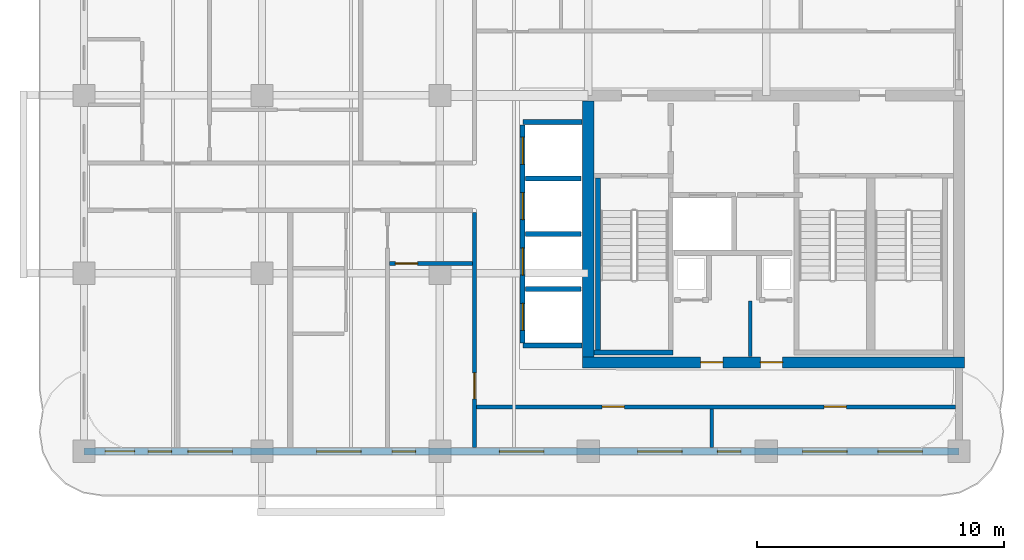
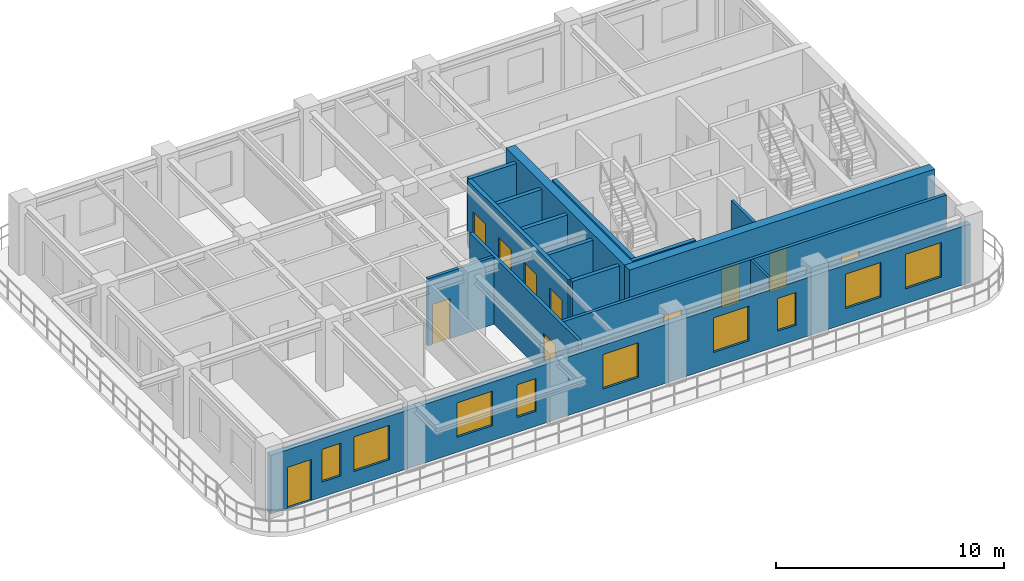
# One storey, part 3 of 8: 16 walls, 11 doors, 9 windows, 20 openings.
"""IFC4 building model written with IfcOpenShell, lengths in metres."""

from ifc_helpers import new_model, si_unit, derived_unit, direction, frame, frame_2d, origin, place, context, subcontext, project, spatial, rectangle, extrude, source, transform, mapped, material, layer, layer_set, type_object, type_shapes, element, fill, save


model = new_model("IFC4")

# Units and contexts
model_context = context("Model", 3, precision=1e-05, world=origin(), true_north=direction((0.0, 1.0)))
body_context = subcontext(model_context, "Body", "Model", "MODEL_VIEW")
ifc_project = project(units=[si_unit("LENGTHUNIT", "METRE"), si_unit("AREAUNIT", "SQUARE_METRE"), si_unit("VOLUMEUNIT", "CUBIC_METRE"), si_unit("PLANEANGLEUNIT", "RADIAN"), si_unit("MASSUNIT", "GRAM", prefix="KILO"), si_unit("THERMODYNAMICTEMPERATUREUNIT", "KELVIN"), si_unit("POWERUNIT", "WATT"), derived_unit("THERMALTRANSMITTANCEUNIT", [(si_unit("POWERUNIT", "WATT"), 1), (si_unit("AREAUNIT", "SQUARE_METRE"), -1), (si_unit("THERMODYNAMICTEMPERATUREUNIT", "KELVIN"), -1)])], contexts=[model_context])

# Site, building, storey
site_placement = place(None, origin())
site = spatial("IfcSite", under=ifc_project, at=site_placement, CompositionType="ELEMENT")
building_placement = place(site_placement, origin())
building = spatial("IfcBuilding", under=site, at=building_placement, Name="Zahravan Archway Hotel and Residences", CompositionType="ELEMENT")
storey_placement = place(building_placement, frame((0.0, 0.0, 228.85009765625)))
storey = spatial("IfcBuildingStorey", under=building, at=storey_placement, Name="L57", CompositionType="ELEMENT", Elevation=228.85009765625)

# Wall, openings, doors
ifc_material_1 = material(Name="Concrete C50/60", Category="concrete")
ifc_layer_1 = layer(ifc_material_1, 0.449951171875, Name="Concrete C50/60", Category="concrete")
ifc_layer_set_1 = layer_set([ifc_layer_1], Name="Concrete C50/60")
wall_type_1 = type_object("IfcWallType", Name="CW-CORE-450", PredefinedType="SHEAR", material=ifc_layer_set_1)
wall_1_placement = place(storey_placement, frame((34.574951171875, 3.60009765625, 0.0), z_axis=(0.0, 0.0, 1.0), x_axis=(1.0, 0.0, 0.0)))
wall_1 = element("IfcWall", 1, at=wall_1_placement, inside=storey, type_object=wall_type_1, Name="L57 Core A Shear S Wall 450 mm", PredefinedType="SHEAR", context=body_context, shape_type="SweptSolid", body=[
    extrude(rectangle(XDim=15.449951171875, YDim=0.449951171875, at=frame_2d((7.72509765625, 0.0))), origin(), (0.0, 0.0, 1.0), 3.849853515625),
])
opening_1_placement = place(wall_1_placement, frame((4.77490234375, 0.0, 0.0)))
opening_1 = element("IfcOpeningElement", 2, at=opening_1_placement, cuts=wall_1, Name="Opening FD-R1", PredefinedType="OPENING", context=body_context, shape_type="SweptSolid", body=[
    extrude(rectangle(XDim=0.89990234375, YDim=2.10009765625, at=frame_2d((0.449951171875, 1.050048828125))), frame((0.0, 0.23486328125, 0.0), z_axis=(0.0, -1.0, 0.0), x_axis=(1.0, 0.0, 0.0)), (0.0, 0.0, 1.0), 0.469970703125),
])
opening_2_placement = place(wall_1_placement, frame((7.195068359375, 0.0, 0.0)))
opening_2 = element("IfcOpeningElement", 3, at=opening_2_placement, cuts=wall_1, Name="Opening FD-R1", PredefinedType="OPENING", context=body_context, shape_type="SweptSolid", body=[
    extrude(rectangle(XDim=0.89990234375, YDim=2.10009765625, at=frame_2d((0.449951171875, 1.050048828125))), frame((0.0, 0.23486328125, 0.0), z_axis=(0.0, -1.0, 0.0), x_axis=(1.0, 0.0, 0.0)), (0.0, 0.0, 1.0), 0.469970703125),
])
ifc_material_2 = material(Name="Fire-Rated Painted Steel", Category="steel")
door_type_1 = type_object("IfcDoorType", Name="FD-RISER-900", OperationType="NOTDEFINED", PredefinedType="DOOR", material=ifc_material_2)
shared_shape_1 = source(origin(), body_context, "Body", "SweptSolid", [
    extrude(rectangle(XDim=0.89990234375, YDim=2.10009765625, at=frame_2d((0.449951171875, 1.050048828125))), frame((0.0, 0.02490234375, 0.0), z_axis=(0.0, -1.0, 0.0), x_axis=(1.0, 0.0, 0.0)), (0.0, 0.0, 1.0), 0.050048828125),
])
type_shapes(door_type_1, [shared_shape_1])
door_1_placement = place(opening_1_placement, origin())
door_1 = element("IfcDoor", 4, at=door_1_placement, inside=storey, type_object=door_type_1, Name="L57 Service Pantry Door", OperationType="SINGLE_SWING_LEFT", OverallHeight=2.10009765625, OverallWidth=0.89990234375, PredefinedType="DOOR", context=body_context, shape_type="MappedRepresentation", body=[
    mapped(shared_shape_1, transform((0.0, 0.0, 0.0), scale=1.0)),
])
fill(opening_1, door_1)
door_2_placement = place(opening_2_placement, origin())
door_2 = element("IfcDoor", 5, at=door_2_placement, inside=storey, type_object=door_type_1, Name="L57 Fibre ELV Riser Door", OperationType="SINGLE_SWING_RIGHT", OverallHeight=2.10009765625, OverallWidth=0.89990234375, PredefinedType="DOOR", context=body_context, shape_type="MappedRepresentation", body=[
    mapped(shared_shape_1, transform((0.0, 0.0, 0.0), scale=1.0)),
])
fill(opening_2, door_2)

# Wall
wall_2_placement = place(storey_placement, frame((34.800048828125, 3.824951171875, 0.0), z_axis=(0.0, 0.0, 1.0), x_axis=(0.0, 1.0, 0.0)))
element("IfcWall", 6, at=wall_2_placement, inside=storey, type_object=wall_type_1, Name="L57 Core A Shear W Wall 450 mm", PredefinedType="SHEAR", context=body_context, shape_type="SweptSolid", body=[
    extrude(rectangle(XDim=10.35009765625, YDim=0.449951171875, at=frame_2d((5.175048828125, 0.0))), origin(), (0.0, 0.0, 1.0), 3.849853515625),
])

# Wall, openings, door, windows
ifc_material_3 = material(Name="Honed Red-Ochre Sandstone & Insulated Block", Category="masonry")
ifc_layer_2 = layer(ifc_material_3, 0.280029296875, Name="Honed Red-Ochre Sandstone & Insulated Block", Category="masonry")
ifc_layer_set_2 = layer_set([ifc_layer_2], Name="Honed Red-Ochre Sandstone & Insulated Block")
wall_type_2 = type_object("IfcWallType", Name="EW-LOG-280", PredefinedType="SOLIDWALL", material=ifc_layer_set_2)
wall_3_placement = place(storey_placement, frame((14.39990234375, 0.0, 0.0), z_axis=(0.0, 0.0, 1.0), x_axis=(1.0, 0.0, 0.0)))
wall_3 = element("IfcWall", 7, at=wall_3_placement, inside=storey, type_object=wall_type_2, Name="L57 Exterior Sandstone Wall WA-S", PredefinedType="SOLIDWALL", context=body_context, shape_type="SweptSolid", body=[
    extrude(rectangle(XDim=35.400146484375, YDim=0.280029296875, at=frame_2d((17.7001953125, 0.0))), origin(), (0.0, 0.0, 1.0), 3.135009765625),
])
opening_3_placement = place(wall_3_placement, frame((0.85009765625, 0.0, 0.0)))
opening_3 = element("IfcOpeningElement", 8, at=opening_3_placement, cuts=wall_3, Name="Opening ED-BL1", PredefinedType="OPENING", context=body_context, shape_type="SweptSolid", body=[
    extrude(rectangle(XDim=1.199951171875, YDim=2.199951171875, at=frame_2d((0.60009765625, 1.10009765625))), frame((0.0, 0.14990234375, 0.0), z_axis=(0.0, -1.0, 0.0), x_axis=(1.0, 0.0, 0.0)), (0.0, 0.0, 1.0), 0.300048828125),
])
opening_4_placement = place(wall_3_placement, frame((2.595947265625, 0.0, 0.800048828125)))
opening_4 = element("IfcOpeningElement", 9, at=opening_4_placement, cuts=wall_3, Name="Opening W-04", PredefinedType="OPENING", context=body_context, shape_type="SweptSolid", body=[
    extrude(rectangle(XDim=0.949951171875, YDim=1.75, at=frame_2d((0.47509765625, 0.875))), frame((0.0, 0.14990234375, 0.0), z_axis=(0.0, -1.0, 0.0), x_axis=(1.0, 0.0, 0.0)), (0.0, 0.0, 1.0), 0.300048828125),
])
opening_5_placement = place(wall_3_placement, frame((4.2041015625, 0.0, 0.800048828125)))
opening_5 = element("IfcOpeningElement", 10, at=opening_5_placement, cuts=wall_3, Name="Opening W-02", PredefinedType="OPENING", context=body_context, shape_type="SweptSolid", body=[
    extrude(rectangle(XDim=1.800048828125, YDim=1.85009765625, at=frame_2d((0.89990234375, 0.925048828125))), frame((0.0, 0.14990234375, 0.0), z_axis=(0.0, -1.0, 0.0), x_axis=(1.0, 0.0, 0.0)), (0.0, 0.0, 1.0), 0.300048828125),
])
opening_6_placement = place(wall_3_placement, frame((9.4150390625, 0.0, 0.800048828125)))
opening_6 = element("IfcOpeningElement", 11, at=opening_6_placement, cuts=wall_3, Name="Opening W-02", PredefinedType="OPENING", context=body_context, shape_type="SweptSolid", body=[
    extrude(rectangle(XDim=1.800048828125, YDim=1.85009765625, at=frame_2d((0.89990234375, 0.925048828125))), frame((0.0, 0.14990234375, 0.0), z_axis=(0.0, -1.0, 0.0), x_axis=(1.0, 0.0, 0.0)), (0.0, 0.0, 1.0), 0.300048828125),
])
opening_7_placement = place(wall_3_placement, frame((12.468994140625, 0.0, 0.800048828125)))
opening_7 = element("IfcOpeningElement", 12, at=opening_7_placement, cuts=wall_3, Name="Opening W-04", PredefinedType="OPENING", context=body_context, shape_type="SweptSolid", body=[
    extrude(rectangle(XDim=0.949951171875, YDim=1.75, at=frame_2d((0.47509765625, 0.875))), frame((0.0, 0.14990234375, 0.0), z_axis=(0.0, -1.0, 0.0), x_axis=(1.0, 0.0, 0.0)), (0.0, 0.0, 1.0), 0.300048828125),
])
opening_8_placement = place(wall_3_placement, frame((16.803955078125, 0.0, 0.800048828125)))
opening_8 = element("IfcOpeningElement", 13, at=opening_8_placement, cuts=wall_3, Name="Opening W-02", PredefinedType="OPENING", context=body_context, shape_type="SweptSolid", body=[
    extrude(rectangle(XDim=1.800048828125, YDim=1.85009765625, at=frame_2d((0.89990234375, 0.925048828125))), frame((0.0, 0.14990234375, 0.0), z_axis=(0.0, -1.0, 0.0), x_axis=(1.0, 0.0, 0.0)), (0.0, 0.0, 1.0), 0.300048828125),
])
opening_9_placement = place(wall_3_placement, frame((22.39599609375, 0.0, 0.800048828125)))
opening_9 = element("IfcOpeningElement", 14, at=opening_9_placement, cuts=wall_3, Name="Opening W-02", PredefinedType="OPENING", context=body_context, shape_type="SweptSolid", body=[
    extrude(rectangle(XDim=1.800048828125, YDim=1.85009765625, at=frame_2d((0.89990234375, 0.925048828125))), frame((0.0, 0.14990234375, 0.0), z_axis=(0.0, -1.0, 0.0), x_axis=(1.0, 0.0, 0.0)), (0.0, 0.0, 1.0), 0.300048828125),
])
opening_10_placement = place(wall_3_placement, frame((25.62890625, 0.0, 0.800048828125)))
opening_10 = element("IfcOpeningElement", 15, at=opening_10_placement, cuts=wall_3, Name="Opening W-04", PredefinedType="OPENING", context=body_context, shape_type="SweptSolid", body=[
    extrude(rectangle(XDim=0.949951171875, YDim=1.75, at=frame_2d((0.47509765625, 0.875))), frame((0.0, 0.14990234375, 0.0), z_axis=(0.0, -1.0, 0.0), x_axis=(1.0, 0.0, 0.0)), (0.0, 0.0, 1.0), 0.300048828125),
])
opening_11_placement = place(wall_3_placement, frame((29.074951171875, 0.0, 0.800048828125)))
opening_11 = element("IfcOpeningElement", 16, at=opening_11_placement, cuts=wall_3, Name="Opening W-02", PredefinedType="OPENING", context=body_context, shape_type="SweptSolid", body=[
    extrude(rectangle(XDim=1.800048828125, YDim=1.85009765625, at=frame_2d((0.89990234375, 0.925048828125))), frame((0.0, 0.14990234375, 0.0), z_axis=(0.0, -1.0, 0.0), x_axis=(1.0, 0.0, 0.0)), (0.0, 0.0, 1.0), 0.300048828125),
])
opening_12_placement = place(wall_3_placement, frame((32.125, 0.0, 0.800048828125)))
opening_12 = element("IfcOpeningElement", 17, at=opening_12_placement, cuts=wall_3, Name="Opening W-02", PredefinedType="OPENING", context=body_context, shape_type="SweptSolid", body=[
    extrude(rectangle(XDim=1.800048828125, YDim=1.85009765625, at=frame_2d((0.89990234375, 0.925048828125))), frame((0.0, 0.14990234375, 0.0), z_axis=(0.0, -1.0, 0.0), x_axis=(1.0, 0.0, 0.0)), (0.0, 0.0, 1.0), 0.300048828125),
])
ifc_material_4 = material(Name="Bronze-Anodized Glazed Aluminium", Category="aluminium")
door_type_2 = type_object("IfcDoorType", Name="ED-BALC-1200", OperationType="SLIDING_TO_LEFT", PredefinedType="DOOR", material=ifc_material_4)
shared_shape_2 = source(origin(), body_context, "Body", "SweptSolid", [
    extrude(rectangle(XDim=1.199951171875, YDim=2.199951171875, at=frame_2d((0.60009765625, 1.10009765625))), frame((0.0, 0.02490234375, 0.0), z_axis=(0.0, -1.0, 0.0), x_axis=(1.0, 0.0, 0.0)), (0.0, 0.0, 1.0), 0.050048828125),
])
type_shapes(door_type_2, [shared_shape_2])
door_3_placement = place(opening_3_placement, origin())
door_3 = element("IfcDoor", 18, at=door_3_placement, inside=storey, type_object=door_type_2, Name="L57 Outdoor Access Sliding Door (SLB-BAL-L57-SA)", OperationType="SLIDING_TO_LEFT", OverallHeight=2.199951171875, OverallWidth=1.199951171875, PredefinedType="DOOR", context=body_context, shape_type="MappedRepresentation", body=[
    mapped(shared_shape_2, transform((0.0, 0.0, 0.0), scale=1.0)),
])
fill(opening_3, door_3)
ifc_material_5 = material(Name="Bronze-Anodized Thermal-Break Aluminium & Low-E Glass", Category="aluminium")
window_type_1 = type_object("IfcWindowType", Name="WIN-NAR-950", PartitioningType="SINGLE_PANEL", PredefinedType="WINDOW", material=ifc_material_5)
shared_shape_3 = source(origin(), body_context, "Body", "SweptSolid", [
    extrude(rectangle(XDim=0.949951171875, YDim=1.75, at=frame_2d((0.47509765625, 0.875))), frame((0.0, 0.030029296875, 0.0), z_axis=(0.0, -1.0, 0.0), x_axis=(1.0, 0.0, 0.0)), (0.0, 0.0, 1.0), 0.06005859375),
])
type_shapes(window_type_1, [shared_shape_3])
window_1_placement = place(opening_4_placement, origin())
window_1 = element("IfcWindow", 19, at=window_1_placement, inside=storey, type_object=window_type_1, Name="L57 Loggia Window 01", OverallHeight=1.75, OverallWidth=0.949951171875, PartitioningType="SINGLE_PANEL", PredefinedType="WINDOW", context=body_context, shape_type="MappedRepresentation", body=[
    mapped(shared_shape_3, transform((0.0, 0.0, 0.0), scale=1.0)),
])
fill(opening_4, window_1)
window_2_placement = place(opening_7_placement, origin())
window_2 = element("IfcWindow", 20, at=window_2_placement, inside=storey, type_object=window_type_1, Name="L57 Loggia Window 04", OverallHeight=1.75, OverallWidth=0.949951171875, PartitioningType="SINGLE_PANEL", PredefinedType="WINDOW", context=body_context, shape_type="MappedRepresentation", body=[
    mapped(shared_shape_3, transform((0.0, 0.0, 0.0), scale=1.0)),
])
fill(opening_7, window_2)
window_3_placement = place(opening_10_placement, origin())
window_3 = element("IfcWindow", 21, at=window_3_placement, inside=storey, type_object=window_type_1, Name="L57 Loggia Window 07", OverallHeight=1.75, OverallWidth=0.949951171875, PartitioningType="SINGLE_PANEL", PredefinedType="WINDOW", context=body_context, shape_type="MappedRepresentation", body=[
    mapped(shared_shape_3, transform((0.0, 0.0, 0.0), scale=1.0)),
])
fill(opening_10, window_3)
window_type_2 = type_object("IfcWindowType", Name="WIN-TWR-1800", PartitioningType="DOUBLE_PANEL_VERTICAL", PredefinedType="WINDOW", material=ifc_material_5)
shared_shape_4 = source(origin(), body_context, "Body", "SweptSolid", [
    extrude(rectangle(XDim=1.800048828125, YDim=1.85009765625, at=frame_2d((0.89990234375, 0.925048828125))), frame((0.0, 0.030029296875, 0.0), z_axis=(0.0, -1.0, 0.0), x_axis=(1.0, 0.0, 0.0)), (0.0, 0.0, 1.0), 0.06005859375),
])
type_shapes(window_type_2, [shared_shape_4])
window_4_placement = place(opening_5_placement, origin())
window_4 = element("IfcWindow", 22, at=window_4_placement, inside=storey, type_object=window_type_2, Name="L57 Loggia Window 02", OverallHeight=1.85009765625, OverallWidth=1.800048828125, PartitioningType="DOUBLE_PANEL_VERTICAL", PredefinedType="WINDOW", context=body_context, shape_type="MappedRepresentation", body=[
    mapped(shared_shape_4, transform((0.0, 0.0, 0.0), scale=1.0)),
])
fill(opening_5, window_4)
window_5_placement = place(opening_6_placement, origin())
window_5 = element("IfcWindow", 23, at=window_5_placement, inside=storey, type_object=window_type_2, Name="L57 Loggia Window 03", OverallHeight=1.85009765625, OverallWidth=1.800048828125, PartitioningType="DOUBLE_PANEL_VERTICAL", PredefinedType="WINDOW", context=body_context, shape_type="MappedRepresentation", body=[
    mapped(shared_shape_4, transform((0.0, 0.0, 0.0), scale=1.0)),
])
fill(opening_6, window_5)
window_6_placement = place(opening_8_placement, origin())
window_6 = element("IfcWindow", 24, at=window_6_placement, inside=storey, type_object=window_type_2, Name="L57 Loggia Window 05", OverallHeight=1.85009765625, OverallWidth=1.800048828125, PartitioningType="DOUBLE_PANEL_VERTICAL", PredefinedType="WINDOW", context=body_context, shape_type="MappedRepresentation", body=[
    mapped(shared_shape_4, transform((0.0, 0.0, 0.0), scale=1.0)),
])
fill(opening_8, window_6)
window_7_placement = place(opening_9_placement, origin())
window_7 = element("IfcWindow", 25, at=window_7_placement, inside=storey, type_object=window_type_2, Name="L57 Loggia Window 06", OverallHeight=1.85009765625, OverallWidth=1.800048828125, PartitioningType="DOUBLE_PANEL_VERTICAL", PredefinedType="WINDOW", context=body_context, shape_type="MappedRepresentation", body=[
    mapped(shared_shape_4, transform((0.0, 0.0, 0.0), scale=1.0)),
])
fill(opening_9, window_7)
window_8_placement = place(opening_11_placement, origin())
window_8 = element("IfcWindow", 26, at=window_8_placement, inside=storey, type_object=window_type_2, Name="L57 Loggia Window 08", OverallHeight=1.85009765625, OverallWidth=1.800048828125, PartitioningType="DOUBLE_PANEL_VERTICAL", PredefinedType="WINDOW", context=body_context, shape_type="MappedRepresentation", body=[
    mapped(shared_shape_4, transform((0.0, 0.0, 0.0), scale=1.0)),
])
fill(opening_11, window_8)
window_9_placement = place(opening_12_placement, origin())
window_9 = element("IfcWindow", 27, at=window_9_placement, inside=storey, type_object=window_type_2, Name="L57 Loggia Window 09", OverallHeight=1.85009765625, OverallWidth=1.800048828125, PartitioningType="DOUBLE_PANEL_VERTICAL", PredefinedType="WINDOW", context=body_context, shape_type="MappedRepresentation", body=[
    mapped(shared_shape_4, transform((0.0, 0.0, 0.0), scale=1.0)),
])
fill(opening_12, window_9)

# Wall, opening, door
ifc_material_6 = material(Name="Fire-Rated Gypsum & Concrete Block", Category="concrete")
ifc_layer_3 = layer(ifc_material_6, 0.159912109375, Name="Fire-Rated Gypsum & Concrete Block", Category="concrete")
ifc_layer_set_3 = layer_set([ifc_layer_3], Name="Fire-Rated Gypsum & Concrete Block")
wall_type_3 = type_object("IfcWallType", Name="PW-CORR-160", PredefinedType="PARTITIONING", material=ifc_layer_set_3)
wall_4_placement = place(storey_placement, frame((30.199951171875, 0.14794921875, 0.0), z_axis=(0.0, 0.0, 1.0), x_axis=(0.0, 1.0, 0.0)))
wall_4 = element("IfcWall", 28, at=wall_4_placement, inside=storey, type_object=wall_type_3, Name="L57 Partition WA-SRW", PredefinedType="PARTITIONING", context=body_context, shape_type="SweptSolid", body=[
    extrude(rectangle(XDim=9.511962890625, YDim=0.159912109375, at=frame_2d((4.755859375, 0.0))), origin(), (0.0, 0.0, 1.0), 3.599853515625),
])
opening_13_placement = place(wall_4_placement, frame((1.97705078125, 0.0, 0.0)))
opening_13 = element("IfcOpeningElement", 29, at=opening_13_placement, cuts=wall_4, Name="Opening FD-L2", PredefinedType="OPENING", context=body_context, shape_type="SweptSolid", body=[
    extrude(rectangle(XDim=1.050048828125, YDim=2.14990234375, at=frame_2d((0.52490234375, 1.074951171875))), frame((0.0, 0.08984375, 0.0), z_axis=(0.0, -1.0, 0.0), x_axis=(1.0, 0.0, 0.0)), (0.0, 0.0, 1.0), 0.179931640625),
])
door_type_3 = type_object("IfcDoorType", Name="FD-LOBBY-1100", OperationType="NOTDEFINED", PredefinedType="DOOR", material=ifc_material_2)
shared_shape_5 = source(origin(), body_context, "Body", "SweptSolid", [
    extrude(rectangle(XDim=1.050048828125, YDim=2.14990234375, at=frame_2d((0.52490234375, 1.074951171875))), frame((0.0, 0.02490234375, 0.0), z_axis=(0.0, -1.0, 0.0), x_axis=(1.0, 0.0, 0.0)), (0.0, 0.0, 1.0), 0.050048828125),
])
type_shapes(door_type_3, [shared_shape_5])
door_4_placement = place(opening_13_placement, origin())
door_4 = element("IfcDoor", 30, at=door_4_placement, inside=storey, type_object=door_type_3, Name="L57 South Riser Corridor Door", OperationType="SINGLE_SWING_LEFT", OverallHeight=2.14990234375, OverallWidth=1.050048828125, PredefinedType="DOOR", context=body_context, shape_type="MappedRepresentation", body=[
    mapped(shared_shape_5, transform((0.0, 0.0, 0.0), scale=1.0)),
])
fill(opening_13, door_4)

# Wall, openings, doors
wall_5_placement = place(storey_placement, frame((30.2900390625, 1.800048828125, 0.0), z_axis=(0.0, 0.0, 1.0), x_axis=(1.0, 0.0, 0.0)))
wall_5 = element("IfcWall", 31, at=wall_5_placement, inside=storey, type_object=wall_type_3, Name="L57 Partition WA-SRS", PredefinedType="PARTITIONING", context=body_context, shape_type="SweptSolid", body=[
    extrude(rectangle(XDim=19.369873046875, YDim=0.159912109375, at=frame_2d((9.68505859375, 0.0))), origin(), (0.0, 0.0, 1.0), 3.599853515625),
])
opening_14_placement = place(wall_5_placement, frame((5.07421875, 0.0, 0.0)))
opening_14 = element("IfcOpeningElement", 32, at=opening_14_placement, cuts=wall_5, Name="Opening D-I2", PredefinedType="OPENING", context=body_context, shape_type="SweptSolid", body=[
    extrude(rectangle(XDim=0.89990234375, YDim=2.14990234375, at=frame_2d((0.449951171875, 1.074951171875))), frame((0.0, 0.08984375, 0.0), z_axis=(0.0, -1.0, 0.0), x_axis=(1.0, 0.0, 0.0)), (0.0, 0.0, 1.0), 0.179931640625),
])
opening_15_placement = place(wall_5_placement, frame((14.06005859375, 0.0, 0.0)))
opening_15 = element("IfcOpeningElement", 33, at=opening_15_placement, cuts=wall_5, Name="Opening D-I2", PredefinedType="OPENING", context=body_context, shape_type="SweptSolid", body=[
    extrude(rectangle(XDim=0.89990234375, YDim=2.14990234375, at=frame_2d((0.449951171875, 1.074951171875))), frame((0.0, 0.08984375, 0.0), z_axis=(0.0, -1.0, 0.0), x_axis=(1.0, 0.0, 0.0)), (0.0, 0.0, 1.0), 0.179931640625),
])
ifc_material_7 = material(Name="Hardwood Veneer Timber", Category="wood")
door_type_4 = type_object("IfcDoorType", Name="ID-INT-900", OperationType="NOTDEFINED", PredefinedType="DOOR", material=ifc_material_7)
shared_shape_6 = source(origin(), body_context, "Body", "SweptSolid", [
    extrude(rectangle(XDim=0.89990234375, YDim=2.14990234375, at=frame_2d((0.449951171875, 1.074951171875))), frame((0.0, 0.02490234375, 0.0), z_axis=(0.0, -1.0, 0.0), x_axis=(1.0, 0.0, 0.0)), (0.0, 0.0, 1.0), 0.050048828125),
])
type_shapes(door_type_4, [shared_shape_6])
door_5_placement = place(opening_14_placement, origin())
door_5 = element("IfcDoor", 34, at=door_5_placement, inside=storey, type_object=door_type_4, Name="L57 South Study Door", OperationType="SINGLE_SWING_RIGHT", OverallHeight=2.14990234375, OverallWidth=0.89990234375, PredefinedType="DOOR", context=body_context, shape_type="MappedRepresentation", body=[
    mapped(shared_shape_6, transform((0.0, 0.0, 0.0), scale=1.0)),
])
fill(opening_14, door_5)
door_6_placement = place(opening_15_placement, origin())
door_6 = element("IfcDoor", 35, at=door_6_placement, inside=storey, type_object=door_type_4, Name="L57 South Pantry Door", OperationType="SINGLE_SWING_LEFT", OverallHeight=2.14990234375, OverallWidth=0.89990234375, PredefinedType="DOOR", context=body_context, shape_type="MappedRepresentation", body=[
    mapped(shared_shape_6, transform((0.0, 0.0, 0.0), scale=1.0)),
])
fill(opening_15, door_6)

# Walls
ifc_material_8 = material(Name="Acoustic Stud Partition")
ifc_layer_4 = layer(ifc_material_8, 0.125, Name="Acoustic Stud Partition")
ifc_layer_set_4 = layer_set([ifc_layer_4], Name="Acoustic Stud Partition")
wall_type_4 = type_object("IfcWallType", Name="PW-INT-125", PredefinedType="PARTITIONING", material=ifc_layer_set_4)
wall_6_placement = place(storey_placement, frame((39.800048828125, 0.14794921875, 0.0), z_axis=(0.0, 0.0, 1.0), x_axis=(0.0, 1.0, 0.0)))
element("IfcWall", 36, at=wall_6_placement, inside=storey, type_object=wall_type_4, Name="L57 Partition S-DIV1", PredefinedType="PARTITIONING", context=body_context, shape_type="SweptSolid", body=[
    extrude(rectangle(XDim=1.56201171875, YDim=0.125, at=frame_2d((0.781005859375, 0.0))), origin(), (0.0, 0.0, 1.0), 3.599853515625),
])
ifc_layer_5 = layer(ifc_material_6, 0.199951171875, Name="Fire-Rated Gypsum & Concrete Block", Category="concrete")
ifc_layer_set_5 = layer_set([ifc_layer_5], Name="Fire-Rated Gypsum & Concrete Block")
wall_type_5 = type_object("IfcWallType", Name="PW-SHAFT-200", PredefinedType="PARTITIONING", material=ifc_layer_set_5)
for number, where, z_axis, x_axis, name in (
    (37, (32.159912109375, 4.280029296875, 0.0), (0.0, 0.0, 1.0), (1.0, 0.0, 0.0), "L57 Partition B3-S"),
    (38, (32.159912109375, 13.320068359375, 0.0), (0.0, 0.0, 1.0), (1.0, 0.0, 0.0), "L57 Partition B3-N"),
):
    element("IfcWall", number, at=place(storey_placement, frame(where, z_axis=z_axis, x_axis=x_axis)), inside=storey, type_object=wall_type_5, Name=name, PredefinedType="PARTITIONING", context=body_context, shape_type="SweptSolid", body=[
        extrude(rectangle(XDim=2.385009765625, YDim=0.199951171875, at=frame_2d((1.1923828125, 0.0))), origin(), (0.0, 0.0, 1.0), 3.599853515625),
    ])

# Wall, openings, doors
wall_7_placement = place(storey_placement, frame((32.14990234375, 4.389892578125, 0.0), z_axis=(0.0, 0.0, 1.0), x_axis=(0.0, 1.0, 0.0)))
wall_7 = element("IfcWall", 39, at=wall_7_placement, inside=storey, type_object=wall_type_5, Name="L57 Partition B3-W", PredefinedType="PARTITIONING", context=body_context, shape_type="SweptSolid", body=[
    extrude(rectangle(XDim=8.820068359375, YDim=0.199951171875, at=frame_2d((4.41015625, 0.0))), origin(), (0.0, 0.0, 1.0), 3.599853515625),
])
opening_16_placement = place(wall_7_placement, frame((0.5, 0.0, 0.0)))
opening_16 = element("IfcOpeningElement", 40, at=opening_16_placement, cuts=wall_7, Name="Opening LD", PredefinedType="OPENING", context=body_context, shape_type="SweptSolid", body=[
    extrude(rectangle(XDim=1.10009765625, YDim=2.199951171875, at=frame_2d((0.550048828125, 1.10009765625))), frame((0.0, 0.10986328125, 0.0), z_axis=(0.0, -1.0, 0.0), x_axis=(1.0, 0.0, 0.0)), (0.0, 0.0, 1.0), 0.219970703125),
])
opening_17_placement = place(wall_7_placement, frame((2.739990234375, 0.0, 0.0)))
opening_17 = element("IfcOpeningElement", 41, at=opening_17_placement, cuts=wall_7, Name="Opening LD", PredefinedType="OPENING", context=body_context, shape_type="SweptSolid", body=[
    extrude(rectangle(XDim=1.10009765625, YDim=2.199951171875, at=frame_2d((0.550048828125, 1.10009765625))), frame((0.0, 0.10986328125, 0.0), z_axis=(0.0, -1.0, 0.0), x_axis=(1.0, 0.0, 0.0)), (0.0, 0.0, 1.0), 0.219970703125),
])
opening_18_placement = place(wall_7_placement, frame((4.97998046875, 0.0, 0.0)))
opening_18 = element("IfcOpeningElement", 42, at=opening_18_placement, cuts=wall_7, Name="Opening LD", PredefinedType="OPENING", context=body_context, shape_type="SweptSolid", body=[
    extrude(rectangle(XDim=1.10009765625, YDim=2.199951171875, at=frame_2d((0.550048828125, 1.10009765625))), frame((0.0, 0.10986328125, 0.0), z_axis=(0.0, -1.0, 0.0), x_axis=(1.0, 0.0, 0.0)), (0.0, 0.0, 1.0), 0.219970703125),
])
opening_19_placement = place(wall_7_placement, frame((7.219970703125, 0.0, 0.0)))
opening_19 = element("IfcOpeningElement", 43, at=opening_19_placement, cuts=wall_7, Name="Opening LD", PredefinedType="OPENING", context=body_context, shape_type="SweptSolid", body=[
    extrude(rectangle(XDim=1.10009765625, YDim=2.199951171875, at=frame_2d((0.550048828125, 1.10009765625))), frame((0.0, 0.10986328125, 0.0), z_axis=(0.0, -1.0, 0.0), x_axis=(1.0, 0.0, 0.0)), (0.0, 0.0, 1.0), 0.219970703125),
])
ifc_material_9 = material(Name="Brushed Stainless Steel", Category="steel")
door_type_5 = type_object("IfcDoorType", Name="DR-LIFT-LD", OperationType="SLIDING_TO_LEFT", PredefinedType="DOOR", material=ifc_material_9)
shared_shape_7 = source(origin(), body_context, "Body", "SweptSolid", [
    extrude(rectangle(XDim=1.10009765625, YDim=2.199951171875, at=frame_2d((0.550048828125, 1.10009765625))), frame((0.0, 0.02490234375, 0.0), z_axis=(0.0, -1.0, 0.0), x_axis=(1.0, 0.0, 0.0)), (0.0, 0.0, 1.0), 0.050048828125),
])
type_shapes(door_type_5, [shared_shape_7])
door_7_placement = place(opening_16_placement, origin())
door_7 = element("IfcDoor", 44, at=door_7_placement, inside=storey, type_object=door_type_5, Name="L57 Lift LP-7 Sliding Landing Door", OperationType="SLIDING_TO_LEFT", OverallHeight=2.199951171875, OverallWidth=1.10009765625, PredefinedType="DOOR", context=body_context, shape_type="MappedRepresentation", body=[
    mapped(shared_shape_7, transform((0.0, 0.0, 0.0), scale=1.0)),
])
fill(opening_16, door_7)
door_8_placement = place(opening_17_placement, origin())
door_8 = element("IfcDoor", 45, at=door_8_placement, inside=storey, type_object=door_type_5, Name="L57 Lift LP-8 Sliding Landing Door", OperationType="SLIDING_TO_LEFT", OverallHeight=2.199951171875, OverallWidth=1.10009765625, PredefinedType="DOOR", context=body_context, shape_type="MappedRepresentation", body=[
    mapped(shared_shape_7, transform((0.0, 0.0, 0.0), scale=1.0)),
])
fill(opening_17, door_8)
door_9_placement = place(opening_18_placement, origin())
door_9 = element("IfcDoor", 46, at=door_9_placement, inside=storey, type_object=door_type_5, Name="L57 Lift LP-9 Sliding Landing Door", OperationType="SLIDING_TO_LEFT", OverallHeight=2.199951171875, OverallWidth=1.10009765625, PredefinedType="DOOR", context=body_context, shape_type="MappedRepresentation", body=[
    mapped(shared_shape_7, transform((0.0, 0.0, 0.0), scale=1.0)),
])
fill(opening_18, door_9)
door_10_placement = place(opening_19_placement, origin())
door_10 = element("IfcDoor", 47, at=door_10_placement, inside=storey, type_object=door_type_5, Name="L57 Lift LP-10 Sliding Landing Door", OperationType="SLIDING_TO_LEFT", OverallHeight=2.199951171875, OverallWidth=1.10009765625, PredefinedType="DOOR", context=body_context, shape_type="MappedRepresentation", body=[
    mapped(shared_shape_7, transform((0.0, 0.0, 0.0), scale=1.0)),
])
fill(opening_19, door_10)

# Walls
for number, where, z_axis, x_axis, name in (
    (48, (32.260009765625, 6.56005859375, 0.0), (0.0, 0.0, 1.0), (1.0, 0.0, 0.0), "L57 Partition B3-D"),
    (49, (32.260009765625, 8.800048828125, 0.0), (0.0, 0.0, 1.0), (1.0, 0.0, 0.0), "L57 Partition B3-D"),
    (50, (32.260009765625, 11.0400390625, 0.0), (0.0, 0.0, 1.0), (1.0, 0.0, 0.0), "L57 Partition B3-D"),
):
    element("IfcWall", number, at=place(storey_placement, frame(where, z_axis=z_axis, x_axis=x_axis)), inside=storey, type_object=wall_type_5, Name=name, PredefinedType="PARTITIONING", context=body_context, shape_type="SweptSolid", body=[
        extrude(rectangle(XDim=2.2548828125, YDim=0.199951171875, at=frame_2d((1.12744140625, 0.0))), origin(), (0.0, 0.0, 1.0), 3.599853515625),
    ])

# Wall, opening, door
ifc_layer_6 = layer(ifc_material_8, 0.14990234375, Name="Acoustic Stud Partition")
ifc_layer_set_6 = layer_set([ifc_layer_6], Name="Acoustic Stud Partition")
wall_type_6 = type_object("IfcWallType", Name="PW-UNIT-150", PredefinedType="PARTITIONING", material=ifc_layer_set_6)
wall_8_placement = place(storey_placement, frame((26.77001953125, 7.60009765625, 0.0), z_axis=(0.0, 0.0, 1.0), x_axis=(1.0, 0.0, 0.0)))
wall_8 = element("IfcWall", 51, at=wall_8_placement, inside=storey, type_object=wall_type_6, Name="L57 Partition FL-S1-GH", PredefinedType="PARTITIONING", context=body_context, shape_type="SweptSolid", body=[
    extrude(rectangle(XDim=3.340087890625, YDim=0.14990234375, at=frame_2d((1.669921875, 0.0))), origin(), (0.0, 0.0, 1.0), 3.599853515625),
])
opening_20_placement = place(wall_8_placement, frame((0.22509765625, 0.0, 0.0)))
opening_20 = element("IfcOpeningElement", 52, at=opening_20_placement, cuts=wall_8, Name="Opening D-I2", PredefinedType="OPENING", context=body_context, shape_type="SweptSolid", body=[
    extrude(rectangle(XDim=0.89990234375, YDim=2.14990234375, at=frame_2d((0.449951171875, 1.074951171875))), frame((0.0, 0.0849609375, 0.0), z_axis=(0.0, -1.0, 0.0), x_axis=(1.0, 0.0, 0.0)), (0.0, 0.0, 1.0), 0.169921875),
])
door_11_placement = place(opening_20_placement, origin())
door_11 = element("IfcDoor", 53, at=door_11_placement, inside=storey, type_object=door_type_4, Name="L57 Flat S1 Bedroom 1 Door", OperationType="SINGLE_SWING_LEFT", OverallHeight=2.14990234375, OverallWidth=0.89990234375, PredefinedType="DOOR", context=body_context, shape_type="MappedRepresentation", body=[
    mapped(shared_shape_6, transform((0.0, 0.0, 0.0), scale=1.0)),
])
fill(opening_20, door_11)

# Walls
ifc_material_10 = material(Name="Moisture-Resistant Blockwork", Category="masonry")
ifc_layer_7 = layer(ifc_material_10, 0.139892578125, Name="Moisture-Resistant Blockwork", Category="masonry")
ifc_layer_set_7 = layer_set([ifc_layer_7], Name="Moisture-Resistant Blockwork")
wall_type_7 = type_object("IfcWallType", Name="PW-WET-140", PredefinedType="PARTITIONING", material=ifc_layer_set_7)
wall_9_placement = place(storey_placement, frame((41.35009765625, 3.844970703125, 0.0), z_axis=(0.0, 0.0, 1.0), x_axis=(0.0, 1.0, 0.0)))
element("IfcWall", 54, at=wall_9_placement, inside=storey, type_object=wall_type_7, Name="L57 Partition CA-CV3", PredefinedType="PARTITIONING", context=body_context, shape_type="SweptSolid", body=[
    extrude(rectangle(XDim=2.235107421875, YDim=0.139892578125, at=frame_2d((1.11767578125, 0.0))), origin(), (0.0, 0.0, 1.0), 3.599853515625),
])
ifc_layer_8 = layer(ifc_material_1, 0.199951171875, Name="Concrete C50/60", Category="concrete")
ifc_layer_set_8 = layer_set([ifc_layer_8], Name="Concrete C50/60")
wall_type_8 = type_object("IfcWallType", Name="SW-STAIR-200", PredefinedType="SHEAR", material=ifc_layer_set_8)
wall_10_placement = place(storey_placement, frame((35.02490234375, 4.0, 0.0), z_axis=(0.0, 0.0, 1.0), x_axis=(1.0, 0.0, 0.0)))
element("IfcWall", 55, at=wall_10_placement, inside=storey, type_object=wall_type_8, Name="L57 Stairwell RC Wall CA-SA1S", PredefinedType="SHEAR", context=body_context, shape_type="SweptSolid", body=[
    extrude(rectangle(XDim=3.215087890625, YDim=0.199951171875, at=frame_2d((1.607421875, 0.0))), origin(), (0.0, 0.0, 1.0), 3.849853515625),
])
wall_11_placement = place(storey_placement, frame((35.199951171875, 4.10009765625, 0.0), z_axis=(0.0, 0.0, 1.0), x_axis=(0.0, 1.0, 0.0)))
element("IfcWall", 56, at=wall_11_placement, inside=storey, type_object=wall_type_8, Name="L57 Stairwell RC Wall CA-SA1W", PredefinedType="SHEAR", context=body_context, shape_type="SweptSolid", body=[
    extrude(rectangle(XDim=6.949951171875, YDim=0.199951171875, at=frame_2d((3.47509765625, 0.0))), origin(), (0.0, 0.0, 1.0), 3.849853515625),
])

save(model, "model.ifc")
